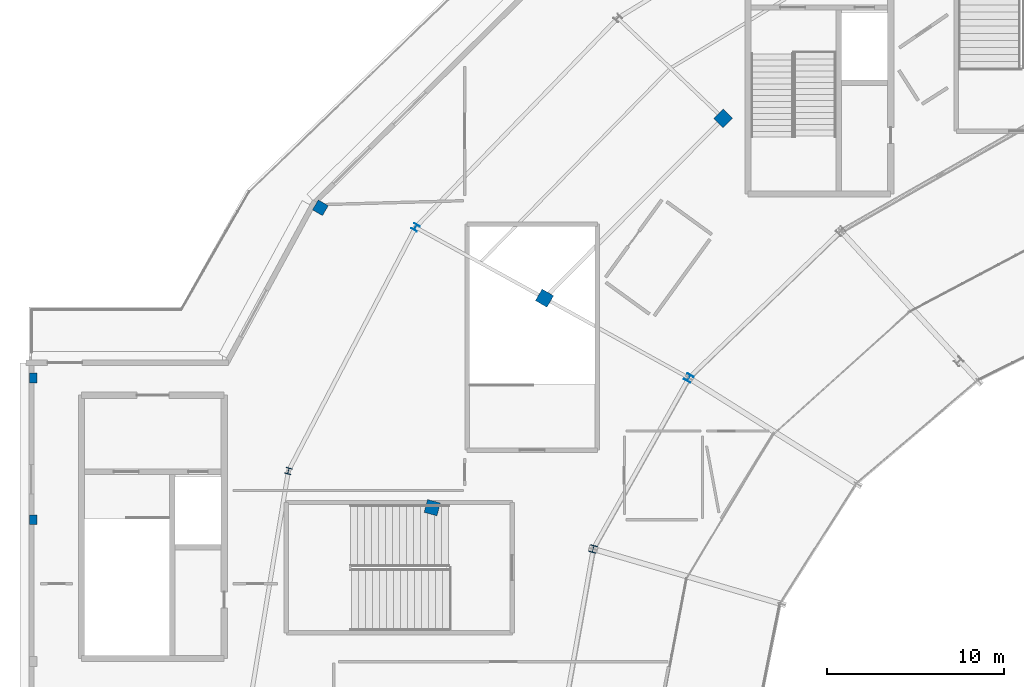
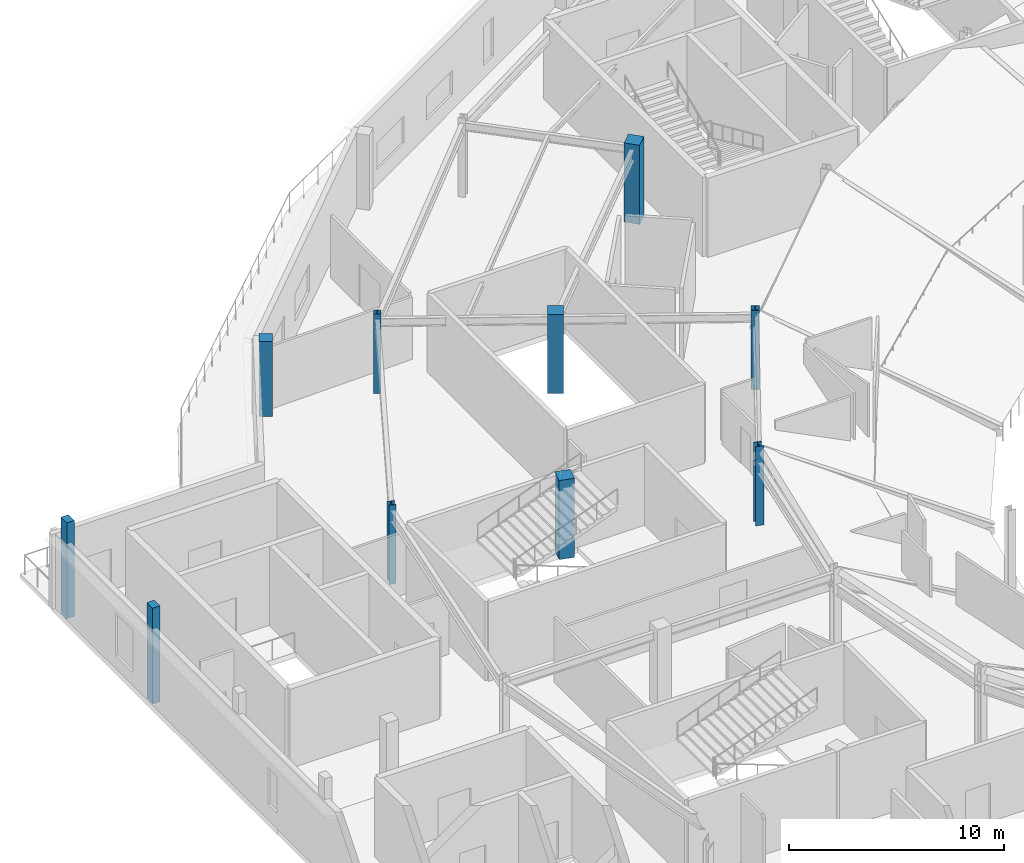
# One storey, part 6 of 63: 10 columns.
"""IFC4 building model written with IfcOpenShell, lengths in metres."""

from ifc_helpers import new_model, si_unit, direction, frame, origin, origin_2d, place, context, subcontext, project, spatial, rectangle, i_section, extrude, material, material_profile, profile_set, type_object, element, save


model = new_model("IFC4")

# Units and contexts
model_context = context("Model", 3, precision=1e-05, world=origin(), true_north=direction((0.0, 1.0)))
body_context = subcontext(model_context, "Body", "Model", "MODEL_VIEW")
ifc_project = project(units=[si_unit("LENGTHUNIT", "METRE"), si_unit("AREAUNIT", "SQUARE_METRE"), si_unit("VOLUMEUNIT", "CUBIC_METRE"), si_unit("PLANEANGLEUNIT", "RADIAN"), si_unit("MASSUNIT", "GRAM", prefix="KILO")], contexts=[model_context])

# Site, building, storey
site_placement = place(None, origin())
site = spatial("IfcSite", under=ifc_project, at=site_placement, CompositionType="ELEMENT")
building_placement = place(site_placement, origin())
building = spatial("IfcBuilding", under=site, at=building_placement, Name="Kalgoora Escarpment Arena", CompositionType="ELEMENT")
storey_placement = place(building_placement, frame((0.0, 0.0, 14.39990234375)))
storey = spatial("IfcBuildingStorey", under=building, at=storey_placement, Name="L03", CompositionType="ELEMENT", Elevation=14.39990234375)

# Columns
ifc_material_1 = material(Name="Structural steel Grade 350 (350 MPa)", Category="steel")
ifc_material_profile_1 = material_profile(ifc_material_1, i_section(OverallWidth=0.35009765625, OverallDepth=0.35009765625, WebThickness=0.013916015625, FlangeThickness=0.02392578125, at=origin_2d()))
ifc_profile_set_1 = profile_set([ifc_material_profile_1], Name="Structural steel Grade 350 (350 MPa)")
column_type_1 = type_object("IfcColumnType", Name="COL-COL-350WC197", PredefinedType="COLUMN", material=ifc_profile_set_1)
for number, where, z_axis, x_axis, name in (
    (1, (30.219482421875, 92.5, 0.0), (0.0, 0.0, 1.0), (-0.866025403784, 0.5, 0.0), "L03 structural column COL-RCONC2-R11"),
    (2, (23.04638671875, 78.752685546875, 0.0), (0.0, 0.0, 1.0), (-0.965925826289, 0.258819045103, 0.0), "L03 structural column COL-RCONC2-R12"),
):
    element("IfcColumn", number, at=place(storey_placement, frame(where, z_axis=z_axis, x_axis=x_axis)), inside=storey, type_object=column_type_1, Name=name, PredefinedType="COLUMN", context=body_context, shape_type="SweptSolid", body=[
        extrude(i_section(OverallWidth=0.35009765625, OverallDepth=0.35009765625, WebThickness=0.013916015625, FlangeThickness=0.02392578125, at=origin_2d()), origin(), (0.0, 0.0, 1.0), 4.5),
    ])
ifc_material_2 = material(Name="Structural steel Grade 350 (350 MPa)", Category="steel")
ifc_material_profile_2 = material_profile(ifc_material_2, i_section(OverallWidth=0.39990234375, OverallDepth=0.39990234375, WebThickness=0.01611328125, FlangeThickness=0.028076171875, at=origin_2d()))
ifc_profile_set_2 = profile_set([ifc_material_profile_2], Name="Structural steel Grade 350 (350 MPa)")
column_type_2 = type_object("IfcColumnType", Name="COL-COL-400WC212", PredefinedType="COLUMN", material=ifc_profile_set_2)
for number, where, z_axis, x_axis, name in (
    (3, (45.634521484375, 84.0, 0.0), (0.0, 0.0, 1.0), (-0.866025403784, 0.5, 0.0), "L03 structural column COL-RMAIN-R11"),
    (4, (40.239990234375, 74.352783203125, 0.0), (0.0, 0.0, 1.0), (-0.965925826289, 0.258819045103, 0.0), "L03 structural column COL-RMAIN-R12"),
):
    element("IfcColumn", number, at=place(storey_placement, frame(where, z_axis=z_axis, x_axis=x_axis)), inside=storey, type_object=column_type_2, Name=name, PredefinedType="COLUMN", context=body_context, shape_type="SweptSolid", body=[
        extrude(i_section(OverallWidth=0.39990234375, OverallDepth=0.39990234375, WebThickness=0.01611328125, FlangeThickness=0.028076171875, at=origin_2d()), origin(), (0.0, 0.0, 1.0), 4.5),
    ])
ifc_material_3 = material(Name="Concrete N50 (fc' 50 MPa)", Category="concrete")
ifc_material_profile_3 = material_profile(ifc_material_3, rectangle(XDim=0.64990234375, YDim=0.64990234375, at=origin_2d()))
ifc_profile_set_3 = profile_set([ifc_material_profile_3], Name="Concrete N50 (fc' 50 MPa)")
column_type_3 = type_object("IfcColumnType", Name="COL-COL-RC650x650", PredefinedType="COLUMN", material=ifc_profile_set_3)
column_placement = place(storey_placement, frame((24.85009765625, 93.60009765625, 0.0), z_axis=(0.0, 0.0, 1.0), x_axis=(-0.866025403784, 0.5, 0.0)))
element("IfcColumn", 5, at=column_placement, inside=storey, type_object=column_type_3, Name="L03 structural column COL-RBASE1-R11", PredefinedType="COLUMN", context=body_context, shape_type="SweptSolid", body=[
    extrude(rectangle(XDim=0.64990234375, YDim=0.64990234375, at=origin_2d()), origin(), (0.0, 0.0, 1.0), 4.260009765625),
])
ifc_material_4 = material(Name="Concrete N50 (fc' 50 MPa)", Category="concrete")
ifc_material_profile_4 = material_profile(ifc_material_4, rectangle(XDim=0.75, YDim=0.75, at=origin_2d()))
ifc_profile_set_4 = profile_set([ifc_material_profile_4], Name="Concrete N50 (fc' 50 MPa)")
column_type_4 = type_object("IfcColumnType", Name="COL-COL-RC750x750", PredefinedType="COLUMN", material=ifc_profile_set_4)
for number, where, z_axis, x_axis, name in (
    (6, (47.5693359375, 98.648193359375, 0.0), (0.0, 0.0, 1.0), (-0.707106781187, 0.707106781187, 0.0), "L03 structural column COL-RCONC1-R10"),
    (7, (37.493896484375, 88.5, 0.0), (0.0, 0.0, 1.0), (-0.866025403784, 0.5, 0.0), "L03 structural column COL-RCONC1-R11"),
    (8, (31.160400390625, 76.68212890625, 0.0), (0.0, 0.0, 1.0), (-0.965925826289, 0.258819045103, 0.0), "L03 structural column COL-RCONC1-R12"),
):
    element("IfcColumn", number, at=place(storey_placement, frame(where, z_axis=z_axis, x_axis=x_axis)), inside=storey, type_object=column_type_4, Name=name, PredefinedType="COLUMN", context=body_context, shape_type="SweptSolid", body=[
        extrude(rectangle(XDim=0.75, YDim=0.75, at=origin_2d()), origin(), (0.0, 0.0, 1.0), 4.5),
    ])
ifc_material_5 = material(Name="Precast concrete N50 (fc' 50 MPa)", Category="concrete")
ifc_material_profile_5 = material_profile(ifc_material_5, rectangle(XDim=0.39990234375, YDim=0.550048828125, at=origin_2d()))
ifc_profile_set_5 = profile_set([ifc_material_profile_5], Name="Precast concrete N50 (fc' 50 MPa)")
column_type_5 = type_object("IfcColumnType", Name="COL-PIL-PC-PILASTER-550x400", PredefinedType="PILASTER", material=ifc_profile_set_5)
for number, where, z_axis, x_axis, name in (
    (9, (8.64990234375, 76.0, 0.0), (0.0, 0.0, 1.0), (1.0, 0.0, 0.0), "L03 fluted pilaster PIL-020"),
    (10, (8.64990234375, 84.0, 0.0), (0.0, 0.0, 1.0), (1.0, 0.0, 0.0), "L03 fluted pilaster PIL-021"),
):
    element("IfcColumn", number, at=place(storey_placement, frame(where, z_axis=z_axis, x_axis=x_axis)), inside=storey, type_object=column_type_5, Name=name, PredefinedType="PILASTER", context=body_context, shape_type="SweptSolid", body=[
        extrude(rectangle(XDim=0.39990234375, YDim=0.550048828125, at=origin_2d()), origin(), (0.0, 0.0, 1.0), 5.4501953125),
    ])

save(model, "model.ifc")
